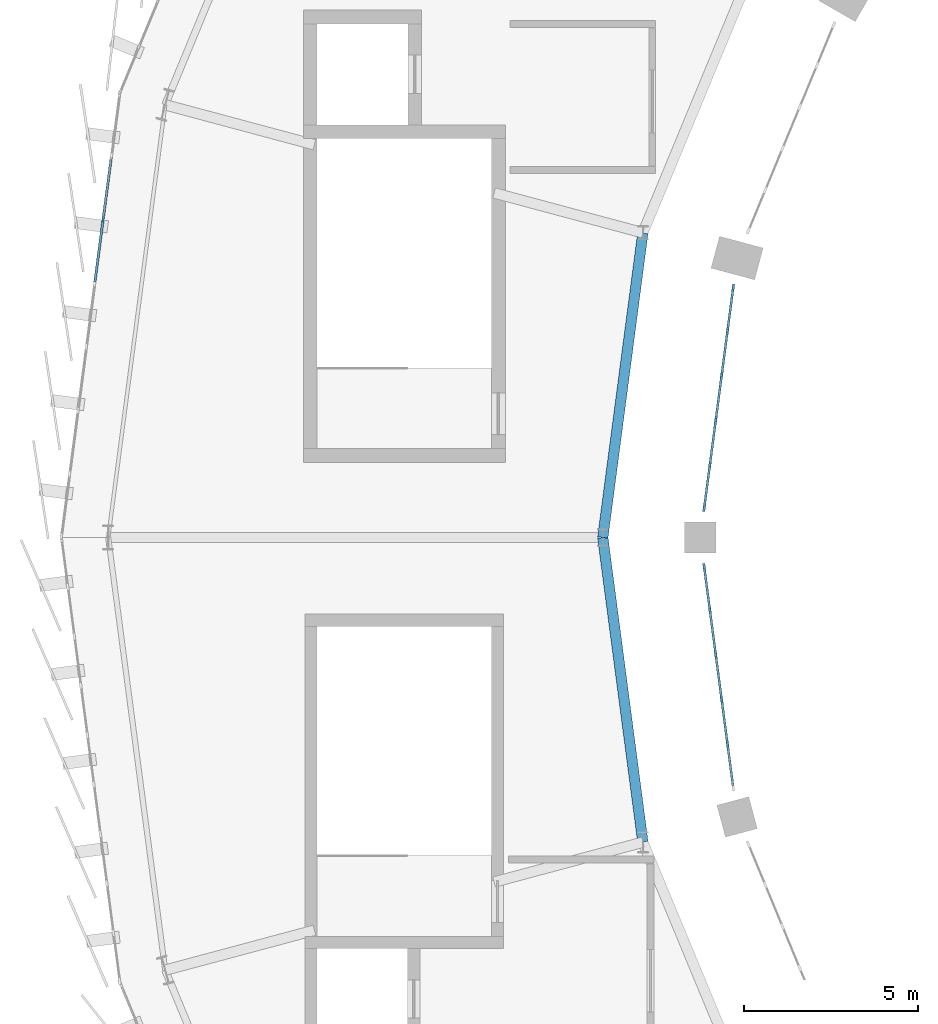
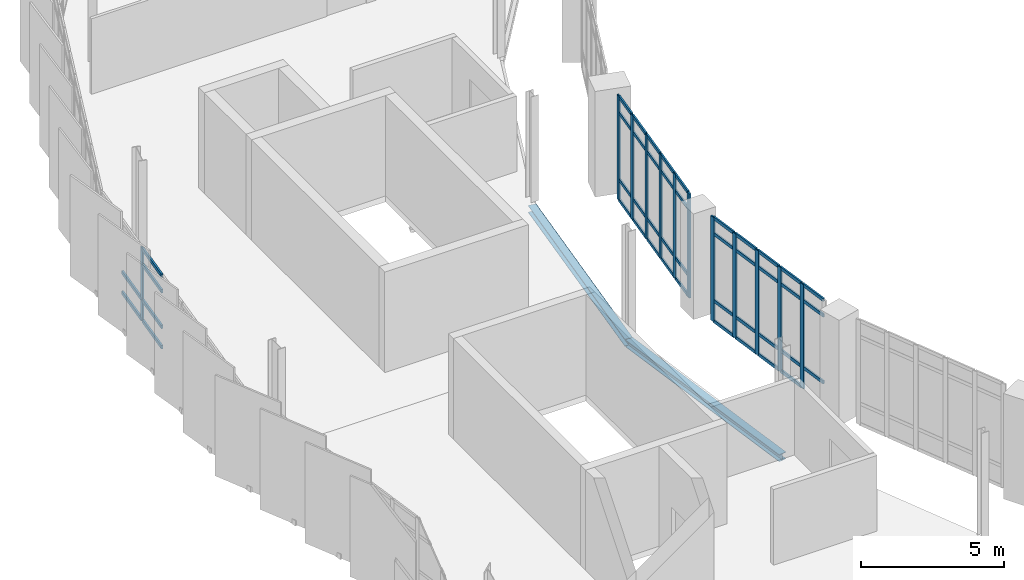
# One storey, part 29 of 67: 57 members, 2 beams, 3 elements without a shape of their own.
"""IFC4 building model written with IfcOpenShell, lengths in metres."""

from ifc_helpers import new_model, si_unit, direction, frame, origin, origin_2d, place, context, subcontext, project, spatial, rectangle, i_section, extrude, material, layer, layer_set, material_profile, profile_set, type_object, element, aggregate, save


model = new_model("IFC4")

# Units and contexts
model_context = context("Model", 3, precision=1e-05, world=origin(), true_north=direction((0.0, 1.0)))
body_context = subcontext(model_context, "Body", "Model", "MODEL_VIEW")
ifc_project = project(units=[si_unit("LENGTHUNIT", "METRE"), si_unit("AREAUNIT", "SQUARE_METRE"), si_unit("VOLUMEUNIT", "CUBIC_METRE"), si_unit("PLANEANGLEUNIT", "RADIAN"), si_unit("MASSUNIT", "GRAM", prefix="KILO")], contexts=[model_context])

# Site, building, storey
site_placement = place(None, origin())
site = spatial("IfcSite", under=ifc_project, at=site_placement, CompositionType="ELEMENT")
building_placement = place(site_placement, origin())
building = spatial("IfcBuilding", under=site, at=building_placement, Name="Sohan Crest Arena", CompositionType="ELEMENT")
storey_placement = place(building_placement, frame((0.0, 0.0, 22.5)))
storey = spatial("IfcBuildingStorey", under=building, at=storey_placement, Name="L05", CompositionType="ELEMENT", Elevation=22.5)

# Curtain wall, member
ifc_material_1 = material(Name="Thermally broken anodised aluminium", Category="aluminium")
ifc_layer_1 = layer(ifc_material_1, 0.2099609375, Name="Thermally broken anodised aluminium")
ifc_layer_set_1 = layer_set([ifc_layer_1], Name="Thermally broken anodised aluminium")
curtain_wall_type_1 = type_object("IfcCurtainWallType", Name="ARC-CW06", PredefinedType="NOTDEFINED", material=ifc_layer_set_1)
curtain_wall_1_placement = place(storey_placement, origin())
curtain_wall_1 = element("IfcCurtainWall", 1, at=curtain_wall_1_placement, inside=storey, type_object=curtain_wall_type_1, Name="Unitised curtain wall CW-151", PredefinedType="NOTDEFINED")
ifc_material_profile_1 = material_profile(ifc_material_1, rectangle(XDim=0.06494140625, YDim=0.179931640625, at=origin_2d()), Name="ALU-MULL 65x180")
ifc_profile_set_1 = profile_set([ifc_material_profile_1], Name="Thermally broken anodised aluminium")
member_type_1 = type_object("IfcMemberType", Name="ARC-CW-ML02", PredefinedType="MULLION", material=ifc_profile_set_1)
member_1_placement = place(storey_placement, frame((49.851318359375, 87.12353515625, 0.0), z_axis=(0.0, 0.0, 1.0), x_axis=(0.991440816386, -0.130556913275, 0.0)))
member_1 = element("IfcMember", 2, at=member_1_placement, type_object=member_type_1, Name="CW-151 mullion 3", PredefinedType="MULLION", context=body_context, shape_type="SweptSolid", body=[
    extrude(rectangle(XDim=0.06494140625, YDim=0.179931640625, at=origin_2d()), origin(), (0.0, 0.0, 1.0), 3.1201171875),
])

# Curtain wall, members
ifc_layer_2 = layer(ifc_material_1, 0.18994140625, Name="Thermally broken anodised aluminium")
ifc_layer_set_2 = layer_set([ifc_layer_2], Name="Thermally broken anodised aluminium")
curtain_wall_type_2 = type_object("IfcCurtainWallType", Name="ARC-CW05", PredefinedType="NOTDEFINED", material=ifc_layer_set_2)
curtain_wall_2_placement = place(storey_placement, origin())
curtain_wall_2 = element("IfcCurtainWall", 3, at=curtain_wall_2_placement, inside=storey, type_object=curtain_wall_type_2, Name="Unitised curtain wall CW-174", PredefinedType="NOTDEFINED")
ifc_material_profile_2 = material_profile(ifc_material_1, rectangle(XDim=0.070068359375, YDim=0.199951171875, at=origin_2d()), Name="ALU-MULL 70x200")
ifc_profile_set_2 = profile_set([ifc_material_profile_2], Name="Thermally broken anodised aluminium")
member_type_2 = type_object("IfcMemberType", Name="ARC-CW-ML03", PredefinedType="MULLION", material=ifc_profile_set_2)
member_2_placement = place(storey_placement, frame((67.9443359375, 85.17529296875, 0.0), z_axis=(0.0, 0.0, 1.0), x_axis=(0.991448491802, -0.130498613419, 0.0)))
member_2 = element("IfcMember", 4, at=member_2_placement, type_object=member_type_2, Name="CW-174 mullion 1", PredefinedType="MULLION", context=body_context, shape_type="SweptSolid", body=[
    extrude(rectangle(XDim=0.070068359375, YDim=0.199951171875, at=origin_2d()), origin(), (0.0, 0.0, 1.0), 4.449951171875),
])
member_3_placement = place(storey_placement, frame((67.780517578125, 83.9306640625, 0.0), z_axis=(0.0, 0.0, 1.0), x_axis=(0.991448491802, -0.130498613419, 0.0)))
member_3 = element("IfcMember", 5, at=member_3_placement, type_object=member_type_2, Name="CW-174 mullion 2", PredefinedType="MULLION", context=body_context, shape_type="SweptSolid", body=[
    extrude(rectangle(XDim=0.070068359375, YDim=0.199951171875, at=origin_2d()), origin(), (0.0, 0.0, 1.0), 4.449951171875),
])
member_4_placement = place(storey_placement, frame((67.6123046875, 82.651123046875, 0.0), z_axis=(0.0, 0.0, 1.0), x_axis=(0.991448491802, -0.130498613419, 0.0)))
member_4 = element("IfcMember", 6, at=member_4_placement, type_object=member_type_2, Name="CW-174 mullion 3", PredefinedType="MULLION", context=body_context, shape_type="SweptSolid", body=[
    extrude(rectangle(XDim=0.070068359375, YDim=0.199951171875, at=origin_2d()), origin(), (0.0, 0.0, 1.0), 4.449951171875),
])
member_5_placement = place(storey_placement, frame((67.44384765625, 81.371826171875, 0.0), z_axis=(0.0, 0.0, 1.0), x_axis=(0.991448491802, -0.130498613419, 0.0)))
member_5 = element("IfcMember", 7, at=member_5_placement, type_object=member_type_2, Name="CW-174 mullion 4", PredefinedType="MULLION", context=body_context, shape_type="SweptSolid", body=[
    extrude(rectangle(XDim=0.070068359375, YDim=0.199951171875, at=origin_2d()), origin(), (0.0, 0.0, 1.0), 4.449951171875),
])
member_6_placement = place(storey_placement, frame((67.275390625, 80.09228515625, 0.0), z_axis=(0.0, 0.0, 1.0), x_axis=(0.991448491802, -0.130498613419, 0.0)))
member_6 = element("IfcMember", 8, at=member_6_placement, type_object=member_type_2, Name="CW-174 mullion 5", PredefinedType="MULLION", context=body_context, shape_type="SweptSolid", body=[
    extrude(rectangle(XDim=0.070068359375, YDim=0.199951171875, at=origin_2d()), origin(), (0.0, 0.0, 1.0), 4.449951171875),
])
member_7_placement = place(storey_placement, frame((67.111572265625, 78.84765625, 0.0), z_axis=(0.0, 0.0, 1.0), x_axis=(0.991448491802, -0.130498613419, 0.0)))
member_7 = element("IfcMember", 9, at=member_7_placement, type_object=member_type_2, Name="CW-174 mullion 6", PredefinedType="MULLION", context=body_context, shape_type="SweptSolid", body=[
    extrude(rectangle(XDim=0.070068359375, YDim=0.199951171875, at=origin_2d()), origin(), (0.0, 0.0, 1.0), 4.449951171875),
])

curtain_wall_3_placement = place(storey_placement, origin())
curtain_wall_3 = element("IfcCurtainWall", 10, at=curtain_wall_3_placement, inside=storey, type_object=curtain_wall_type_2, Name="Unitised curtain wall CW-176", PredefinedType="NOTDEFINED")
member_8_placement = place(storey_placement, frame((67.111572265625, 77.15234375, 0.0), z_axis=(0.0, 0.0, 1.0), x_axis=(0.991448491802, 0.130498613419, 0.0)))
member_8 = element("IfcMember", 11, at=member_8_placement, type_object=member_type_2, Name="CW-176 mullion 1", PredefinedType="MULLION", context=body_context, shape_type="SweptSolid", body=[
    extrude(rectangle(XDim=0.070068359375, YDim=0.199951171875, at=origin_2d()), origin(), (0.0, 0.0, 1.0), 4.449951171875),
])
member_9_placement = place(storey_placement, frame((67.275390625, 75.90771484375, 0.0), z_axis=(0.0, 0.0, 1.0), x_axis=(0.991448491802, 0.130498613419, 0.0)))
member_9 = element("IfcMember", 12, at=member_9_placement, type_object=member_type_2, Name="CW-176 mullion 2", PredefinedType="MULLION", context=body_context, shape_type="SweptSolid", body=[
    extrude(rectangle(XDim=0.070068359375, YDim=0.199951171875, at=origin_2d()), origin(), (0.0, 0.0, 1.0), 4.449951171875),
])
member_10_placement = place(storey_placement, frame((67.44384765625, 74.628173828125, 0.0), z_axis=(0.0, 0.0, 1.0), x_axis=(0.991448491802, 0.130498613419, 0.0)))
member_10 = element("IfcMember", 13, at=member_10_placement, type_object=member_type_2, Name="CW-176 mullion 3", PredefinedType="MULLION", context=body_context, shape_type="SweptSolid", body=[
    extrude(rectangle(XDim=0.070068359375, YDim=0.199951171875, at=origin_2d()), origin(), (0.0, 0.0, 1.0), 4.449951171875),
])
member_11_placement = place(storey_placement, frame((67.6123046875, 73.348876953125, 0.0), z_axis=(0.0, 0.0, 1.0), x_axis=(0.991448491802, 0.130498613419, 0.0)))
member_11 = element("IfcMember", 14, at=member_11_placement, type_object=member_type_2, Name="CW-176 mullion 4", PredefinedType="MULLION", context=body_context, shape_type="SweptSolid", body=[
    extrude(rectangle(XDim=0.070068359375, YDim=0.199951171875, at=origin_2d()), origin(), (0.0, 0.0, 1.0), 4.449951171875),
])
member_12_placement = place(storey_placement, frame((67.780517578125, 72.0693359375, 0.0), z_axis=(0.0, 0.0, 1.0), x_axis=(0.991448491802, 0.130498613419, 0.0)))
member_12 = element("IfcMember", 15, at=member_12_placement, type_object=member_type_2, Name="CW-176 mullion 5", PredefinedType="MULLION", context=body_context, shape_type="SweptSolid", body=[
    extrude(rectangle(XDim=0.070068359375, YDim=0.199951171875, at=origin_2d()), origin(), (0.0, 0.0, 1.0), 4.449951171875),
])

# Member
ifc_material_profile_3 = material_profile(ifc_material_1, rectangle(XDim=0.06494140625, YDim=0.139892578125, at=origin_2d()), Name="ALU-TRAN 65x140")
ifc_profile_set_3 = profile_set([ifc_material_profile_3], Name="Thermally broken anodised aluminium")
member_type_3 = type_object("IfcMemberType", Name="ARC-CW-TR02", PredefinedType="USERDEFINED", material=ifc_profile_set_3)
member_13_placement = place(storey_placement, frame((67.93994140625, 85.140625, 0.032470703125), z_axis=(-0.130571716173, -0.991438866968, 0.0), x_axis=(0.991438866968, -0.130571716173, 0.0)))
member_13 = element("IfcMember", 16, at=member_13_placement, type_object=member_type_3, Name="CW-174 transom 1.1", ObjectType="TRANSOM", PredefinedType="USERDEFINED", context=body_context, shape_type="SweptSolid", body=[
    extrude(rectangle(XDim=0.06494140625, YDim=0.139892578125, at=origin_2d()), origin(), (0.0, 0.0, 1.0), 1.185546875),
])

member_14_placement = place(storey_placement, frame((67.93994140625, 85.140625, 0.89990234375), z_axis=(-0.130571716173, -0.991438866968, 0.0), x_axis=(0.991438866968, -0.130571716173, 0.0)))
member_14 = element("IfcMember", 17, at=member_14_placement, type_object=member_type_3, Name="CW-174 transom 1.2", ObjectType="TRANSOM", PredefinedType="USERDEFINED", context=body_context, shape_type="SweptSolid", body=[
    extrude(rectangle(XDim=0.06494140625, YDim=0.139892578125, at=origin_2d()), origin(), (0.0, 0.0, 1.0), 1.185546875),
])

member_15_placement = place(storey_placement, frame((67.93994140625, 85.140625, 3.75), z_axis=(-0.130571716173, -0.991438866968, 0.0), x_axis=(0.991438866968, -0.130571716173, 0.0)))
member_15 = element("IfcMember", 18, at=member_15_placement, type_object=member_type_3, Name="CW-174 transom 1.3", ObjectType="TRANSOM", PredefinedType="USERDEFINED", context=body_context, shape_type="SweptSolid", body=[
    extrude(rectangle(XDim=0.06494140625, YDim=0.139892578125, at=origin_2d()), origin(), (0.0, 0.0, 1.0), 1.185546875),
])

member_16_placement = place(storey_placement, frame((67.93994140625, 85.140625, 4.41748046875), z_axis=(-0.130571716173, -0.991438866968, 0.0), x_axis=(0.991438866968, -0.130571716173, 0.0)))
member_16 = element("IfcMember", 19, at=member_16_placement, type_object=member_type_3, Name="CW-174 transom 1.4", ObjectType="TRANSOM", PredefinedType="USERDEFINED", context=body_context, shape_type="SweptSolid", body=[
    extrude(rectangle(XDim=0.06494140625, YDim=0.139892578125, at=origin_2d()), origin(), (0.0, 0.0, 1.0), 1.185546875),
])

member_17_placement = place(storey_placement, frame((67.776123046875, 83.89599609375, 0.032470703125), z_axis=(-0.130604550342, -0.991434542181, 0.0), x_axis=(0.991434542181, -0.130604550342, 0.0)))
member_17 = element("IfcMember", 20, at=member_17_placement, type_object=member_type_3, Name="CW-174 transom 2.1", ObjectType="TRANSOM", PredefinedType="USERDEFINED", context=body_context, shape_type="SweptSolid", body=[
    extrude(rectangle(XDim=0.06494140625, YDim=0.139892578125, at=origin_2d()), origin(), (0.0, 0.0, 1.0), 1.220703125),
])

member_18_placement = place(storey_placement, frame((67.776123046875, 83.89599609375, 0.89990234375), z_axis=(-0.130604550342, -0.991434542181, 0.0), x_axis=(0.991434542181, -0.130604550342, 0.0)))
member_18 = element("IfcMember", 21, at=member_18_placement, type_object=member_type_3, Name="CW-174 transom 2.2", ObjectType="TRANSOM", PredefinedType="USERDEFINED", context=body_context, shape_type="SweptSolid", body=[
    extrude(rectangle(XDim=0.06494140625, YDim=0.139892578125, at=origin_2d()), origin(), (0.0, 0.0, 1.0), 1.220703125),
])

member_19_placement = place(storey_placement, frame((67.776123046875, 83.89599609375, 3.75), z_axis=(-0.130604550342, -0.991434542181, 0.0), x_axis=(0.991434542181, -0.130604550342, 0.0)))
member_19 = element("IfcMember", 22, at=member_19_placement, type_object=member_type_3, Name="CW-174 transom 2.3", ObjectType="TRANSOM", PredefinedType="USERDEFINED", context=body_context, shape_type="SweptSolid", body=[
    extrude(rectangle(XDim=0.06494140625, YDim=0.139892578125, at=origin_2d()), origin(), (0.0, 0.0, 1.0), 1.220703125),
])

member_20_placement = place(storey_placement, frame((67.776123046875, 83.89599609375, 4.41748046875), z_axis=(-0.130604550342, -0.991434542181, 0.0), x_axis=(0.991434542181, -0.130604550342, 0.0)))
member_20 = element("IfcMember", 23, at=member_20_placement, type_object=member_type_3, Name="CW-174 transom 2.4", ObjectType="TRANSOM", PredefinedType="USERDEFINED", context=body_context, shape_type="SweptSolid", body=[
    extrude(rectangle(XDim=0.06494140625, YDim=0.139892578125, at=origin_2d()), origin(), (0.0, 0.0, 1.0), 1.220703125),
])

member_21_placement = place(storey_placement, frame((67.607666015625, 82.616455078125, 0.032470703125), z_axis=(-0.130433812827, -0.991457018973, 0.0), x_axis=(0.991457018973, -0.130433812827, 0.0)))
member_21 = element("IfcMember", 24, at=member_21_placement, type_object=member_type_3, Name="CW-174 transom 3.1", ObjectType="TRANSOM", PredefinedType="USERDEFINED", context=body_context, shape_type="SweptSolid", body=[
    extrude(rectangle(XDim=0.06494140625, YDim=0.139892578125, at=origin_2d()), origin(), (0.0, 0.0, 1.0), 1.220458984375),
])

member_22_placement = place(storey_placement, frame((67.607666015625, 82.616455078125, 0.89990234375), z_axis=(-0.130433812827, -0.991457018973, 0.0), x_axis=(0.991457018973, -0.130433812827, 0.0)))
member_22 = element("IfcMember", 25, at=member_22_placement, type_object=member_type_3, Name="CW-174 transom 3.2", ObjectType="TRANSOM", PredefinedType="USERDEFINED", context=body_context, shape_type="SweptSolid", body=[
    extrude(rectangle(XDim=0.06494140625, YDim=0.139892578125, at=origin_2d()), origin(), (0.0, 0.0, 1.0), 1.220458984375),
])

member_23_placement = place(storey_placement, frame((67.607666015625, 82.616455078125, 3.75), z_axis=(-0.130433812827, -0.991457018973, 0.0), x_axis=(0.991457018973, -0.130433812827, 0.0)))
member_23 = element("IfcMember", 26, at=member_23_placement, type_object=member_type_3, Name="CW-174 transom 3.3", ObjectType="TRANSOM", PredefinedType="USERDEFINED", context=body_context, shape_type="SweptSolid", body=[
    extrude(rectangle(XDim=0.06494140625, YDim=0.139892578125, at=origin_2d()), origin(), (0.0, 0.0, 1.0), 1.220458984375),
])

member_24_placement = place(storey_placement, frame((67.607666015625, 82.616455078125, 4.41748046875), z_axis=(-0.130433812827, -0.991457018973, 0.0), x_axis=(0.991457018973, -0.130433812827, 0.0)))
member_24 = element("IfcMember", 27, at=member_24_placement, type_object=member_type_3, Name="CW-174 transom 3.4", ObjectType="TRANSOM", PredefinedType="USERDEFINED", context=body_context, shape_type="SweptSolid", body=[
    extrude(rectangle(XDim=0.06494140625, YDim=0.139892578125, at=origin_2d()), origin(), (0.0, 0.0, 1.0), 1.220458984375),
])

member_25_placement = place(storey_placement, frame((67.439208984375, 81.337158203125, 0.032470703125), z_axis=(-0.130433812827, -0.991457018973, 0.0), x_axis=(0.991457018973, -0.130433812827, 0.0)))
member_25 = element("IfcMember", 28, at=member_25_placement, type_object=member_type_3, Name="CW-174 transom 4.1", ObjectType="TRANSOM", PredefinedType="USERDEFINED", context=body_context, shape_type="SweptSolid", body=[
    extrude(rectangle(XDim=0.06494140625, YDim=0.139892578125, at=origin_2d()), origin(), (0.0, 0.0, 1.0), 1.220458984375),
])

member_26_placement = place(storey_placement, frame((67.439208984375, 81.337158203125, 0.89990234375), z_axis=(-0.130433812827, -0.991457018973, 0.0), x_axis=(0.991457018973, -0.130433812827, 0.0)))
member_26 = element("IfcMember", 29, at=member_26_placement, type_object=member_type_3, Name="CW-174 transom 4.2", ObjectType="TRANSOM", PredefinedType="USERDEFINED", context=body_context, shape_type="SweptSolid", body=[
    extrude(rectangle(XDim=0.06494140625, YDim=0.139892578125, at=origin_2d()), origin(), (0.0, 0.0, 1.0), 1.220458984375),
])

member_27_placement = place(storey_placement, frame((67.439208984375, 81.337158203125, 3.75), z_axis=(-0.130433812827, -0.991457018973, 0.0), x_axis=(0.991457018973, -0.130433812827, 0.0)))
member_27 = element("IfcMember", 30, at=member_27_placement, type_object=member_type_3, Name="CW-174 transom 4.3", ObjectType="TRANSOM", PredefinedType="USERDEFINED", context=body_context, shape_type="SweptSolid", body=[
    extrude(rectangle(XDim=0.06494140625, YDim=0.139892578125, at=origin_2d()), origin(), (0.0, 0.0, 1.0), 1.220458984375),
])

member_28_placement = place(storey_placement, frame((67.439208984375, 81.337158203125, 4.41748046875), z_axis=(-0.130433812827, -0.991457018973, 0.0), x_axis=(0.991457018973, -0.130433812827, 0.0)))
member_28 = element("IfcMember", 31, at=member_28_placement, type_object=member_type_3, Name="CW-174 transom 4.4", ObjectType="TRANSOM", PredefinedType="USERDEFINED", context=body_context, shape_type="SweptSolid", body=[
    extrude(rectangle(XDim=0.06494140625, YDim=0.139892578125, at=origin_2d()), origin(), (0.0, 0.0, 1.0), 1.220458984375),
])

member_29_placement = place(storey_placement, frame((67.270751953125, 80.0576171875, 0.032470703125), z_axis=(-0.130369270153, -0.991465507922, 0.0), x_axis=(0.991465507922, -0.130369270153, 0.0)))
member_29 = element("IfcMember", 32, at=member_29_placement, type_object=member_type_3, Name="CW-174 transom 5.1", ObjectType="TRANSOM", PredefinedType="USERDEFINED", context=body_context, shape_type="SweptSolid", body=[
    extrude(rectangle(XDim=0.06494140625, YDim=0.139892578125, at=origin_2d()), origin(), (0.0, 0.0, 1.0), 1.185302734375),
])

member_30_placement = place(storey_placement, frame((67.270751953125, 80.0576171875, 0.89990234375), z_axis=(-0.130369270153, -0.991465507922, 0.0), x_axis=(0.991465507922, -0.130369270153, 0.0)))
member_30 = element("IfcMember", 33, at=member_30_placement, type_object=member_type_3, Name="CW-174 transom 5.2", ObjectType="TRANSOM", PredefinedType="USERDEFINED", context=body_context, shape_type="SweptSolid", body=[
    extrude(rectangle(XDim=0.06494140625, YDim=0.139892578125, at=origin_2d()), origin(), (0.0, 0.0, 1.0), 1.185302734375),
])

member_31_placement = place(storey_placement, frame((67.270751953125, 80.0576171875, 3.75), z_axis=(-0.130369270153, -0.991465507922, 0.0), x_axis=(0.991465507922, -0.130369270153, 0.0)))
member_31 = element("IfcMember", 34, at=member_31_placement, type_object=member_type_3, Name="CW-174 transom 5.3", ObjectType="TRANSOM", PredefinedType="USERDEFINED", context=body_context, shape_type="SweptSolid", body=[
    extrude(rectangle(XDim=0.06494140625, YDim=0.139892578125, at=origin_2d()), origin(), (0.0, 0.0, 1.0), 1.185302734375),
])

member_32_placement = place(storey_placement, frame((67.270751953125, 80.0576171875, 4.41748046875), z_axis=(-0.130369270153, -0.991465507922, 0.0), x_axis=(0.991465507922, -0.130369270153, 0.0)))
member_32 = element("IfcMember", 35, at=member_32_placement, type_object=member_type_3, Name="CW-174 transom 5.4", ObjectType="TRANSOM", PredefinedType="USERDEFINED", context=body_context, shape_type="SweptSolid", body=[
    extrude(rectangle(XDim=0.06494140625, YDim=0.139892578125, at=origin_2d()), origin(), (0.0, 0.0, 1.0), 1.185302734375),
])

aggregate(curtain_wall_2, [member_2, member_3, member_4, member_5, member_6, member_7, member_13, member_14, member_15, member_16, member_17, member_18, member_19, member_20, member_21, member_22, member_23, member_24, member_25, member_26, member_27, member_28, member_29, member_30, member_31, member_32])

member_33_placement = place(storey_placement, frame((67.1162109375, 77.11767578125, 0.032470703125), z_axis=(0.130369270153, -0.991465507922, 0.0), x_axis=(0.991465507922, 0.130369270153, 0.0)))
member_33 = element("IfcMember", 36, at=member_33_placement, type_object=member_type_3, Name="CW-176 transom 1.1", ObjectType="TRANSOM", PredefinedType="USERDEFINED", context=body_context, shape_type="SweptSolid", body=[
    extrude(rectangle(XDim=0.06494140625, YDim=0.139892578125, at=origin_2d()), origin(), (0.0, 0.0, 1.0), 1.185302734375),
])

member_34_placement = place(storey_placement, frame((67.1162109375, 77.11767578125, 0.89990234375), z_axis=(0.130369270153, -0.991465507922, 0.0), x_axis=(0.991465507922, 0.130369270153, 0.0)))
member_34 = element("IfcMember", 37, at=member_34_placement, type_object=member_type_3, Name="CW-176 transom 1.2", ObjectType="TRANSOM", PredefinedType="USERDEFINED", context=body_context, shape_type="SweptSolid", body=[
    extrude(rectangle(XDim=0.06494140625, YDim=0.139892578125, at=origin_2d()), origin(), (0.0, 0.0, 1.0), 1.185302734375),
])

member_35_placement = place(storey_placement, frame((67.1162109375, 77.11767578125, 3.75), z_axis=(0.130369270153, -0.991465507922, 0.0), x_axis=(0.991465507922, 0.130369270153, 0.0)))
member_35 = element("IfcMember", 38, at=member_35_placement, type_object=member_type_3, Name="CW-176 transom 1.3", ObjectType="TRANSOM", PredefinedType="USERDEFINED", context=body_context, shape_type="SweptSolid", body=[
    extrude(rectangle(XDim=0.06494140625, YDim=0.139892578125, at=origin_2d()), origin(), (0.0, 0.0, 1.0), 1.185302734375),
])

member_36_placement = place(storey_placement, frame((67.1162109375, 77.11767578125, 4.41748046875), z_axis=(0.130369270153, -0.991465507922, 0.0), x_axis=(0.991465507922, 0.130369270153, 0.0)))
member_36 = element("IfcMember", 39, at=member_36_placement, type_object=member_type_3, Name="CW-176 transom 1.4", ObjectType="TRANSOM", PredefinedType="USERDEFINED", context=body_context, shape_type="SweptSolid", body=[
    extrude(rectangle(XDim=0.06494140625, YDim=0.139892578125, at=origin_2d()), origin(), (0.0, 0.0, 1.0), 1.185302734375),
])

member_37_placement = place(storey_placement, frame((67.280029296875, 75.872802734375, 0.032470703125), z_axis=(0.130433812827, -0.991457018973, 0.0), x_axis=(0.991457018973, 0.130433812827, 0.0)))
member_37 = element("IfcMember", 40, at=member_37_placement, type_object=member_type_3, Name="CW-176 transom 2.1", ObjectType="TRANSOM", PredefinedType="USERDEFINED", context=body_context, shape_type="SweptSolid", body=[
    extrude(rectangle(XDim=0.06494140625, YDim=0.139892578125, at=origin_2d()), origin(), (0.0, 0.0, 1.0), 1.220458984375),
])

member_38_placement = place(storey_placement, frame((67.280029296875, 75.872802734375, 0.89990234375), z_axis=(0.130433812827, -0.991457018973, 0.0), x_axis=(0.991457018973, 0.130433812827, 0.0)))
member_38 = element("IfcMember", 41, at=member_38_placement, type_object=member_type_3, Name="CW-176 transom 2.2", ObjectType="TRANSOM", PredefinedType="USERDEFINED", context=body_context, shape_type="SweptSolid", body=[
    extrude(rectangle(XDim=0.06494140625, YDim=0.139892578125, at=origin_2d()), origin(), (0.0, 0.0, 1.0), 1.220458984375),
])

member_39_placement = place(storey_placement, frame((67.280029296875, 75.872802734375, 3.75), z_axis=(0.130433812827, -0.991457018973, 0.0), x_axis=(0.991457018973, 0.130433812827, 0.0)))
member_39 = element("IfcMember", 42, at=member_39_placement, type_object=member_type_3, Name="CW-176 transom 2.3", ObjectType="TRANSOM", PredefinedType="USERDEFINED", context=body_context, shape_type="SweptSolid", body=[
    extrude(rectangle(XDim=0.06494140625, YDim=0.139892578125, at=origin_2d()), origin(), (0.0, 0.0, 1.0), 1.220458984375),
])

member_40_placement = place(storey_placement, frame((67.280029296875, 75.872802734375, 4.41748046875), z_axis=(0.130433812827, -0.991457018973, 0.0), x_axis=(0.991457018973, 0.130433812827, 0.0)))
member_40 = element("IfcMember", 43, at=member_40_placement, type_object=member_type_3, Name="CW-176 transom 2.4", ObjectType="TRANSOM", PredefinedType="USERDEFINED", context=body_context, shape_type="SweptSolid", body=[
    extrude(rectangle(XDim=0.06494140625, YDim=0.139892578125, at=origin_2d()), origin(), (0.0, 0.0, 1.0), 1.220458984375),
])

member_41_placement = place(storey_placement, frame((67.448486328125, 74.593505859375, 0.032470703125), z_axis=(0.130433812827, -0.991457018973, 0.0), x_axis=(0.991457018973, 0.130433812827, 0.0)))
member_41 = element("IfcMember", 44, at=member_41_placement, type_object=member_type_3, Name="CW-176 transom 3.1", ObjectType="TRANSOM", PredefinedType="USERDEFINED", context=body_context, shape_type="SweptSolid", body=[
    extrude(rectangle(XDim=0.06494140625, YDim=0.139892578125, at=origin_2d()), origin(), (0.0, 0.0, 1.0), 1.220458984375),
])

member_42_placement = place(storey_placement, frame((67.448486328125, 74.593505859375, 0.89990234375), z_axis=(0.130433812827, -0.991457018973, 0.0), x_axis=(0.991457018973, 0.130433812827, 0.0)))
member_42 = element("IfcMember", 45, at=member_42_placement, type_object=member_type_3, Name="CW-176 transom 3.2", ObjectType="TRANSOM", PredefinedType="USERDEFINED", context=body_context, shape_type="SweptSolid", body=[
    extrude(rectangle(XDim=0.06494140625, YDim=0.139892578125, at=origin_2d()), origin(), (0.0, 0.0, 1.0), 1.220458984375),
])

member_43_placement = place(storey_placement, frame((67.448486328125, 74.593505859375, 3.75), z_axis=(0.130433812827, -0.991457018973, 0.0), x_axis=(0.991457018973, 0.130433812827, 0.0)))
member_43 = element("IfcMember", 46, at=member_43_placement, type_object=member_type_3, Name="CW-176 transom 3.3", ObjectType="TRANSOM", PredefinedType="USERDEFINED", context=body_context, shape_type="SweptSolid", body=[
    extrude(rectangle(XDim=0.06494140625, YDim=0.139892578125, at=origin_2d()), origin(), (0.0, 0.0, 1.0), 1.220458984375),
])

member_44_placement = place(storey_placement, frame((67.448486328125, 74.593505859375, 4.41748046875), z_axis=(0.130433812827, -0.991457018973, 0.0), x_axis=(0.991457018973, 0.130433812827, 0.0)))
member_44 = element("IfcMember", 47, at=member_44_placement, type_object=member_type_3, Name="CW-176 transom 3.4", ObjectType="TRANSOM", PredefinedType="USERDEFINED", context=body_context, shape_type="SweptSolid", body=[
    extrude(rectangle(XDim=0.06494140625, YDim=0.139892578125, at=origin_2d()), origin(), (0.0, 0.0, 1.0), 1.220458984375),
])

member_45_placement = place(storey_placement, frame((67.61669921875, 73.314208984375, 0.032470703125), z_axis=(0.130604550342, -0.991434542181, 0.0), x_axis=(0.991434542181, 0.130604550342, 0.0)))
member_45 = element("IfcMember", 48, at=member_45_placement, type_object=member_type_3, Name="CW-176 transom 4.1", ObjectType="TRANSOM", PredefinedType="USERDEFINED", context=body_context, shape_type="SweptSolid", body=[
    extrude(rectangle(XDim=0.06494140625, YDim=0.139892578125, at=origin_2d()), origin(), (0.0, 0.0, 1.0), 1.220703125),
])

member_46_placement = place(storey_placement, frame((67.61669921875, 73.314208984375, 0.89990234375), z_axis=(0.130604550342, -0.991434542181, 0.0), x_axis=(0.991434542181, 0.130604550342, 0.0)))
member_46 = element("IfcMember", 49, at=member_46_placement, type_object=member_type_3, Name="CW-176 transom 4.2", ObjectType="TRANSOM", PredefinedType="USERDEFINED", context=body_context, shape_type="SweptSolid", body=[
    extrude(rectangle(XDim=0.06494140625, YDim=0.139892578125, at=origin_2d()), origin(), (0.0, 0.0, 1.0), 1.220703125),
])

member_47_placement = place(storey_placement, frame((67.61669921875, 73.314208984375, 3.75), z_axis=(0.130604550342, -0.991434542181, 0.0), x_axis=(0.991434542181, 0.130604550342, 0.0)))
member_47 = element("IfcMember", 50, at=member_47_placement, type_object=member_type_3, Name="CW-176 transom 4.3", ObjectType="TRANSOM", PredefinedType="USERDEFINED", context=body_context, shape_type="SweptSolid", body=[
    extrude(rectangle(XDim=0.06494140625, YDim=0.139892578125, at=origin_2d()), origin(), (0.0, 0.0, 1.0), 1.220703125),
])

member_48_placement = place(storey_placement, frame((67.61669921875, 73.314208984375, 4.41748046875), z_axis=(0.130604550342, -0.991434542181, 0.0), x_axis=(0.991434542181, 0.130604550342, 0.0)))
member_48 = element("IfcMember", 51, at=member_48_placement, type_object=member_type_3, Name="CW-176 transom 4.4", ObjectType="TRANSOM", PredefinedType="USERDEFINED", context=body_context, shape_type="SweptSolid", body=[
    extrude(rectangle(XDim=0.06494140625, YDim=0.139892578125, at=origin_2d()), origin(), (0.0, 0.0, 1.0), 1.220703125),
])

member_49_placement = place(storey_placement, frame((67.78515625, 72.03466796875, 0.89990234375), z_axis=(0.130571716173, -0.991438866968, 0.0), x_axis=(0.991438866968, 0.130571716173, 0.0)))
member_49 = element("IfcMember", 52, at=member_49_placement, type_object=member_type_3, Name="CW-176 transom 5.2", ObjectType="TRANSOM", PredefinedType="USERDEFINED", context=body_context, shape_type="SweptSolid", body=[
    extrude(rectangle(XDim=0.06494140625, YDim=0.139892578125, at=origin_2d()), origin(), (0.0, 0.0, 1.0), 1.185546875),
])

member_50_placement = place(storey_placement, frame((67.78515625, 72.03466796875, 3.75), z_axis=(0.130571716173, -0.991438866968, 0.0), x_axis=(0.991438866968, 0.130571716173, 0.0)))
member_50 = element("IfcMember", 53, at=member_50_placement, type_object=member_type_3, Name="CW-176 transom 5.3", ObjectType="TRANSOM", PredefinedType="USERDEFINED", context=body_context, shape_type="SweptSolid", body=[
    extrude(rectangle(XDim=0.06494140625, YDim=0.139892578125, at=origin_2d()), origin(), (0.0, 0.0, 1.0), 1.185546875),
])

member_51_placement = place(storey_placement, frame((67.78515625, 72.03466796875, 4.41748046875), z_axis=(0.130571716173, -0.991438866968, 0.0), x_axis=(0.991438866968, 0.130571716173, 0.0)))
member_51 = element("IfcMember", 54, at=member_51_placement, type_object=member_type_3, Name="CW-176 transom 5.4", ObjectType="TRANSOM", PredefinedType="USERDEFINED", context=body_context, shape_type="SweptSolid", body=[
    extrude(rectangle(XDim=0.06494140625, YDim=0.139892578125, at=origin_2d()), origin(), (0.0, 0.0, 1.0), 1.185546875),
])

aggregate(curtain_wall_3, [member_8, member_9, member_10, member_11, member_12, member_33, member_34, member_35, member_36, member_37, member_38, member_39, member_40, member_41, member_42, member_43, member_44, member_45, member_46, member_47, member_48, member_49, member_50, member_51])

ifc_material_profile_4 = material_profile(ifc_material_1, rectangle(XDim=0.070068359375, YDim=0.14990234375, at=origin_2d()), Name="ALU-TRAN 70x150")
ifc_profile_set_4 = profile_set([ifc_material_profile_4], Name="Thermally broken anodised aluminium")
member_type_4 = type_object("IfcMemberType", Name="ARC-CW-TR03", PredefinedType="USERDEFINED", material=ifc_profile_set_4)
member_52_placement = place(storey_placement, frame((50.08740234375, 88.916015625, 0.034912109375), z_axis=(-0.130497197719, -0.991448678141, 0.0), x_axis=(0.991448678141, -0.130497197719, 0.0)))
member_52 = element("IfcMember", 55, at=member_52_placement, type_object=member_type_4, Name="CW-151 transom 2.1", ObjectType="TRANSOM", PredefinedType="USERDEFINED", context=body_context, shape_type="SweptSolid", body=[
    extrude(rectangle(XDim=0.070068359375, YDim=0.14990234375, at=origin_2d()), origin(), (0.0, 0.0, 1.0), 1.775390625),
])

member_53_placement = place(storey_placement, frame((50.08740234375, 88.916015625, 0.89990234375), z_axis=(-0.130497197719, -0.991448678141, 0.0), x_axis=(0.991448678141, -0.130497197719, 0.0)))
member_53 = element("IfcMember", 56, at=member_53_placement, type_object=member_type_4, Name="CW-151 transom 2.2", ObjectType="TRANSOM", PredefinedType="USERDEFINED", context=body_context, shape_type="SweptSolid", body=[
    extrude(rectangle(XDim=0.070068359375, YDim=0.14990234375, at=origin_2d()), origin(), (0.0, 0.0, 1.0), 1.775390625),
])

member_54_placement = place(storey_placement, frame((49.84716796875, 87.09130859375, 0.034912109375), z_axis=(-0.130497197719, -0.991448678141, 0.0), x_axis=(0.991448678141, -0.130497197719, 0.0)))
member_54 = element("IfcMember", 57, at=member_54_placement, type_object=member_type_4, Name="CW-151 transom 3.1", ObjectType="TRANSOM", PredefinedType="USERDEFINED", context=body_context, shape_type="SweptSolid", body=[
    extrude(rectangle(XDim=0.070068359375, YDim=0.14990234375, at=origin_2d()), origin(), (0.0, 0.0, 1.0), 1.775390625),
])

member_55_placement = place(storey_placement, frame((49.84716796875, 87.09130859375, 0.89990234375), z_axis=(-0.130497197719, -0.991448678141, 0.0), x_axis=(0.991448678141, -0.130497197719, 0.0)))
member_55 = element("IfcMember", 58, at=member_55_placement, type_object=member_type_4, Name="CW-151 transom 3.2", ObjectType="TRANSOM", PredefinedType="USERDEFINED", context=body_context, shape_type="SweptSolid", body=[
    extrude(rectangle(XDim=0.070068359375, YDim=0.14990234375, at=origin_2d()), origin(), (0.0, 0.0, 1.0), 1.775390625),
])

member_56_placement = place(storey_placement, frame((49.84716796875, 87.09130859375, 2.419921875), z_axis=(-0.130497197719, -0.991448678141, 0.0), x_axis=(0.991448678141, -0.130497197719, 0.0)))
member_56 = element("IfcMember", 59, at=member_56_placement, type_object=member_type_4, Name="CW-151 transom 3.3", ObjectType="TRANSOM", PredefinedType="USERDEFINED", context=body_context, shape_type="SweptSolid", body=[
    extrude(rectangle(XDim=0.070068359375, YDim=0.14990234375, at=origin_2d()), origin(), (0.0, 0.0, 1.0), 1.775390625),
])

member_57_placement = place(storey_placement, frame((49.84716796875, 87.09130859375, 3.0849609375), z_axis=(-0.130497197719, -0.991448678141, 0.0), x_axis=(0.991448678141, -0.130497197719, 0.0)))
member_57 = element("IfcMember", 60, at=member_57_placement, type_object=member_type_4, Name="CW-151 transom 3.4", ObjectType="TRANSOM", PredefinedType="USERDEFINED", context=body_context, shape_type="SweptSolid", body=[
    extrude(rectangle(XDim=0.070068359375, YDim=0.14990234375, at=origin_2d()), origin(), (0.0, 0.0, 1.0), 1.775390625),
])

aggregate(curtain_wall_1, [member_1, member_52, member_53, member_54, member_55, member_56, member_57])

# Beams
ifc_material_2 = material(Name="Steel S355", Category="steel")
ifc_material_profile_5 = material_profile(ifc_material_2, i_section(OverallWidth=0.300048828125, OverallDepth=0.300048828125, WebThickness=0.010986328125, FlangeThickness=0.01904296875, at=origin_2d()), Name="HEB 300")
ifc_profile_set_5 = profile_set([ifc_material_profile_5], Name="Steel S355")
beam_type = type_object("IfcBeamType", Name="STR-BM-B12", PredefinedType="BEAM", material=ifc_profile_set_5)
for number, where, z_axis, x_axis, name in (
    (61, (65.35205078125, 86.748046875, -0.39990234375), (-0.130570461953, -0.991439032147, 0.0), (0.991439032147, -0.130570461953, 0.0), "Structural beam G-L05-1730"),
    (62, (64.199951171875, 78.0, -0.39990234375), (0.130570461953, -0.991439032147, 0.0), (0.991439032147, 0.130570461953, 0.0), "Structural beam G-L05-1733"),
):
    element("IfcBeam", number, at=place(storey_placement, frame(where, z_axis=z_axis, x_axis=x_axis)), inside=storey, type_object=beam_type, Name=name, PredefinedType="BEAM", context=body_context, shape_type="SweptSolid", body=[
        extrude(i_section(OverallWidth=0.300048828125, OverallDepth=0.300048828125, WebThickness=0.010986328125, FlangeThickness=0.01904296875, at=origin_2d()), origin(), (0.0, 0.0, 1.0), 8.823486328125),
    ])

save(model, "model.ifc")
